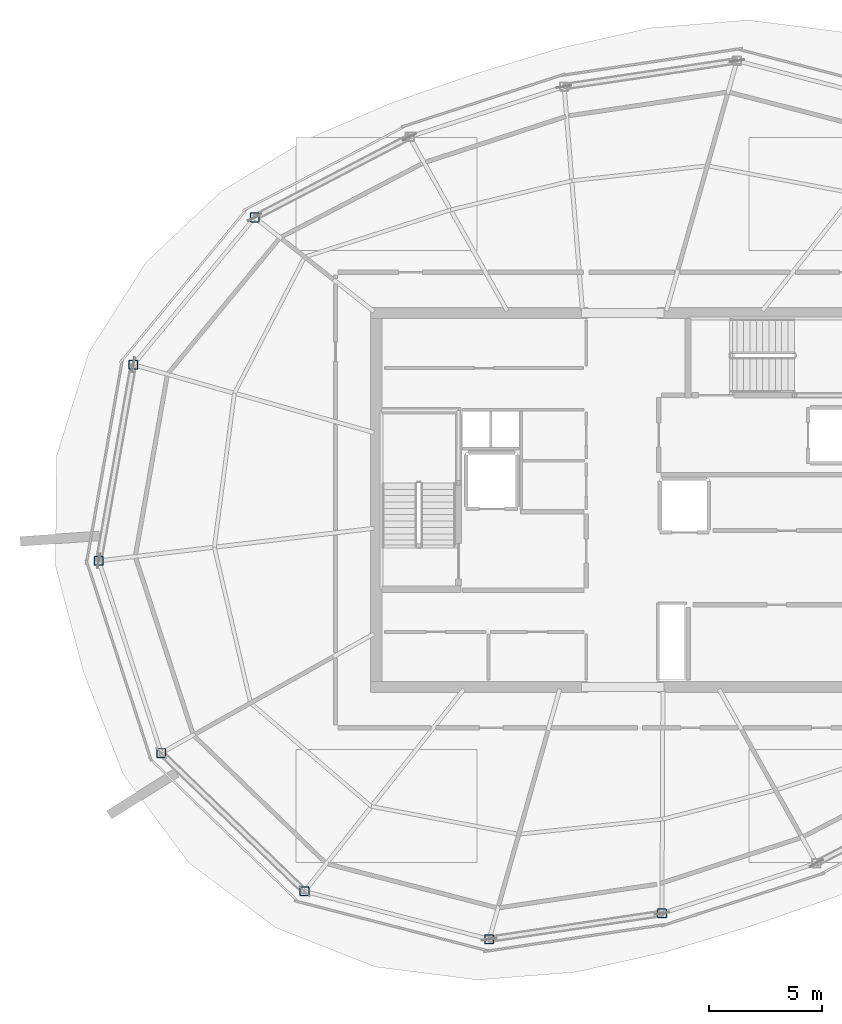
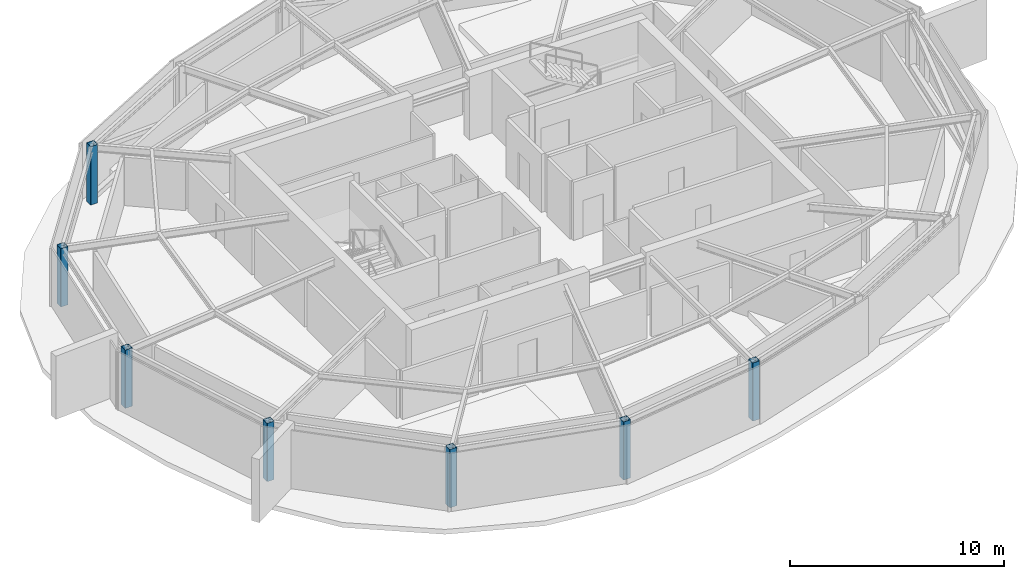
# One storey, part 1 of 10: 7 columns.
"""IFC4 building model written with IfcOpenShell, lengths in metres."""

import ifcopenshell
import ifcopenshell.guid

model = None  # the IFC model being written
_history = None  # IfcOwnerHistory: only IFC2X3 demands one
_inside = {}  # id of a spatial element -> (the spatial element, [elements in it])
_under = {}  # id of a project, library or spatial element -> (it, [spatial elements below it])
_declared = {}  # id of a project -> (the project, [libraries it declares])
_typed = {}  # id of a type object -> (the type object, [elements of that type])
_made_of = {}  # id of a material, layer set ... -> (it, [elements and type objects made of it])


def new_model(schema):
    """Start an empty IFC model of exactly this schema.

    Asked for "IFC4X3", IfcOpenShell would pick the latest addendum, in which some entities
    have other attributes; the version numbers below select the first issue.
    IFC2X3 requires an IfcOwnerHistory on every rooted entity: one is made here for all.
    """
    global model, _history
    if schema == "IFC4X3":
        model = ifcopenshell.file(schema_version=(4, 3, 0, 0))
    else:
        model = ifcopenshell.file(schema=schema)
    _inside.clear()
    _under.clear()
    _declared.clear()
    _typed.clear()
    _made_of.clear()
    _history = None
    if model.schema == "IFC2X3":
        org = make("IfcOrganization", Name="unknown")
        user = make(
            "IfcPersonAndOrganization",
            ThePerson=make("IfcPerson", FamilyName="unknown"),
            TheOrganization=org,
        )
        app = make(
            "IfcApplication",
            ApplicationDeveloper=org,
            Version="unknown",
            ApplicationFullName="unknown",
            ApplicationIdentifier="unknown",
        )
        _history = make(
            "IfcOwnerHistory",
            OwningUser=user,
            OwningApplication=app,
            ChangeAction="ADDED",
            CreationDate=0,
        )
    return model


def make(cls, **values):
    """One entity of the class cls with the attributes given. An attribute that is None is left unset."""
    return model.create_entity(
        cls, **{name: value for name, value in values.items() if value is not None}
    )


def rooted(cls, **values):
    """An entity with a GlobalId (a new one), such as an element, a storey or a relation."""
    return make(cls, GlobalId=ifcopenshell.guid.new(), OwnerHistory=_history, **values)


def si_unit(unit_type, name, prefix=None):
    """IfcSIUnit, for example si_unit("LENGTHUNIT", "METRE", prefix="MILLI")."""
    return make("IfcSIUnit", UnitType=unit_type, Prefix=prefix, Name=name)


def assignment(units):
    """IfcUnitAssignment: the units of a project."""
    return None if units is None else make("IfcUnitAssignment", Units=units)


def point(xyz):
    """IfcCartesianPoint."""
    return None if xyz is None else make("IfcCartesianPoint", Coordinates=xyz)


def direction(xyz):
    """IfcDirection."""
    return None if xyz is None else make("IfcDirection", DirectionRatios=xyz)


def frame(location, z_axis=None, x_axis=None):
    """IfcAxis2Placement3D, a coordinate frame: its origin and axes. An axis left out is left unset."""
    return make(
        "IfcAxis2Placement3D",
        Location=point(location),
        Axis=direction(z_axis),
        RefDirection=direction(x_axis),
    )


def frame_2d(location, x_axis=None):
    """IfcAxis2Placement2D, a coordinate frame in the plane: its origin and x axis."""
    return make(
        "IfcAxis2Placement2D", Location=point(location), RefDirection=direction(x_axis)
    )


def origin():
    """The frame at (0, 0, 0) with its axes left unset."""
    return frame((0.0, 0.0, 0.0))


def origin_2d():
    """The frame at (0, 0) in the plane with its x axis left unset."""
    return frame_2d((0.0, 0.0))


def place(relative_to, where):
    """IfcLocalPlacement: puts the frame where relative to a parent placement (None: the world)."""
    return make(
        "IfcLocalPlacement", PlacementRelTo=relative_to, RelativePlacement=where
    )


def context(
    kind, dimensions, precision=None, world=None, true_north=None, identifier=None
):
    """IfcGeometricRepresentationContext, for example the 3D "Model" context."""
    return make(
        "IfcGeometricRepresentationContext",
        ContextIdentifier=identifier,
        ContextType=kind,
        CoordinateSpaceDimension=dimensions,
        Precision=precision,
        WorldCoordinateSystem=world,
        TrueNorth=true_north,
    )


def subcontext(parent, identifier, kind, view, scale=None):
    """IfcGeometricRepresentationSubContext, for example "Body" below "Model"."""
    return make(
        "IfcGeometricRepresentationSubContext",
        ContextIdentifier=identifier,
        ContextType=kind,
        ParentContext=parent,
        TargetScale=scale,
        TargetView=view,
    )


def project(units=None, contexts=None):
    """IfcProject with its units and contexts."""
    return rooted(
        "IfcProject",
        Name="project",
        RepresentationContexts=contexts,
        UnitsInContext=assignment(units),
    )


def spatial(cls, under=None, at=None, **own):
    """A site, building, storey or space (cls), placed at a placement, below another one or the project."""
    s = rooted(cls, ObjectPlacement=at, **own)
    if under is not None:
        _under.setdefault(under.id(), (under, []))[1].append(s)
    return s


def profile(cls, at=None, kind="AREA", **sizes):
    """A parametric profile (cls). Its sizes go by their IFC names, for example OverallWidth=200.0."""
    return make(cls, ProfileType=kind, Position=at, **sizes)


def hollow_rectangle(**sizes):
    """IfcRectangleHollowProfileDef."""
    return profile("IfcRectangleHollowProfileDef", **sizes)


def extrude(swept, where, along, depth):
    """IfcExtrudedAreaSolid: the profile swept, set in the frame where, extruded along a direction by depth."""
    return make(
        "IfcExtrudedAreaSolid",
        SweptArea=swept,
        Position=where,
        ExtrudedDirection=direction(along),
        Depth=depth,
    )


def shape(context_of_items, identifier, shape_type, items):
    """IfcShapeRepresentation: the items that make up one representation, for example the "Body"."""
    return make(
        "IfcShapeRepresentation",
        ContextOfItems=context_of_items,
        RepresentationIdentifier=identifier,
        RepresentationType=shape_type,
        Items=items,
    )


def material(Name=None, Category=None):
    """IfcMaterial."""
    return make("IfcMaterial", Name=Name, Category=Category)


def material_profile(
    of_material, cross_section, Name=None, Category=None, Priority=None
):
    """IfcMaterialProfile: a cross section and its material."""
    return make(
        "IfcMaterialProfile",
        Name=Name,
        Material=of_material,
        Profile=cross_section,
        Priority=Priority,
        Category=Category,
    )


def profile_set(profiles, Name=None, composite=None):
    """IfcMaterialProfileSet."""
    return make(
        "IfcMaterialProfileSet",
        Name=Name,
        MaterialProfiles=profiles,
        CompositeProfile=composite,
    )


def made_of(thing, what):
    """Note that an element or type object is made of a material, layer set ...; save() writes the relation."""
    if what is not None:
        _made_of.setdefault(what.id(), (what, []))[1].append(thing)
    return thing


def type_object(cls, material=None, **own):
    """A type object (cls), such as IfcWallType, which elements share."""
    return made_of(rooted(cls, **own), material)


def element(
    cls,
    number,
    at=None,
    inside=None,
    cuts=None,
    type_object=None,
    material=None,
    context=None,
    identifier="Body",
    shape_type=None,
    held_by="IfcProductDefinitionShape",
    body=None,
    shapes=None,
    **own,
):
    """One element of the class cls, such as IfcWall. Its Tag is "e" and its number.

    at: its placement. inside: the storey or other place that contains it. cuts: it is an
    opening in that element (IfcRelVoidsElement). A single representation is given by context,
    identifier, shape_type and body (its items); several are given by shapes. held_by: the class
    of the entity that holds the representations. save() writes the other relations.
    """
    e = rooted(cls, Tag="e%d" % number, ObjectPlacement=at, **own)
    if body is not None:
        shapes = [shape(context, identifier, shape_type, body)]
    if shapes is not None:
        e.Representation = make(held_by, Representations=shapes)
    if inside is not None:
        _inside.setdefault(inside.id(), (inside, []))[1].append(e)
    if cuts is not None:
        rooted(
            "IfcRelVoidsElement", RelatingBuildingElement=cuts, RelatedOpeningElement=e
        )
    if type_object is not None:
        _typed.setdefault(type_object.id(), (type_object, []))[1].append(e)
    return made_of(e, material)


def aggregate(whole, parts):
    """IfcRelAggregates: a whole, such as a stair, and the parts it consists of."""
    return rooted("IfcRelAggregates", RelatingObject=whole, RelatedObjects=parts)


def save(model, path):
    """Write the relations noted so far, then the file.

    IfcRelAggregates (storeys below a building ...), IfcRelContainedInSpatialStructure (elements
    in a storey), IfcRelDefinesByType, IfcRelAssociatesMaterial and IfcRelDeclares: one each for
    every whole, place, type object, material and project.
    """
    for whole, parts in _under.values():
        aggregate(whole, parts)
    for where, things in _inside.values():
        rooted(
            "IfcRelContainedInSpatialStructure",
            RelatedElements=things,
            RelatingStructure=where,
        )
    for kind, things in _typed.values():
        rooted("IfcRelDefinesByType", RelatedObjects=things, RelatingType=kind)
    for what, things in _made_of.values():
        rooted("IfcRelAssociatesMaterial", RelatedObjects=things, RelatingMaterial=what)
    for by, libraries in _declared.values():
        rooted("IfcRelDeclares", RelatingContext=by, RelatedDefinitions=libraries)
    model.write(path)


model = new_model("IFC4")

# Units and contexts
model_context = context("Model", 3, precision=1e-05, world=origin(), true_north=direction((0.0, 1.0)))
body_context = subcontext(model_context, "Body", "Model", "MODEL_VIEW")
ifc_project = project(units=[si_unit("LENGTHUNIT", "METRE"), si_unit("AREAUNIT", "SQUARE_METRE"), si_unit("VOLUMEUNIT", "CUBIC_METRE"), si_unit("PLANEANGLEUNIT", "RADIAN"), si_unit("MASSUNIT", "GRAM", prefix="KILO")], contexts=[model_context])

# Site, building, storey
site_placement = place(None, origin())
site = spatial("IfcSite", under=ifc_project, at=site_placement, CompositionType="ELEMENT")
building_placement = place(site_placement, origin())
building = spatial("IfcBuilding", under=site, at=building_placement, Name="Kazma Halo Residences", CompositionType="ELEMENT")
storey_placement = place(building_placement, frame((0.0, 0.0, 356.0)))
storey = spatial("IfcBuildingStorey", under=building, at=storey_placement, Name="L89", CompositionType="ELEMENT", Elevation=356.0)

# Columns
ifc_material = material(Name="Steel S355", Category="steel")
ifc_material_profile = material_profile(ifc_material, hollow_rectangle(XDim=0.39990234375, YDim=0.39990234375, WallThickness=0.02001953125, InnerFilletRadius=0.02001953125, OuterFilletRadius=0.0400390625, at=origin_2d()), Name="SHS400x400x20")
ifc_profile_set = profile_set([ifc_material_profile], Name="Steel S355")
column_type = type_object("IfcColumnType", Name="COL-CROWN-SHS400", PredefinedType="COLUMN", material=ifc_profile_set)
for number, where, z_axis, x_axis, name in (
    (1, (32.184814453125, 54.467529296875, 0.0), (0.0, 0.0, 1.0), (1.0, 0.0, 0.0), "L89 CROWN FRAME perimeter column P06"),
    (2, (26.830078125, 47.970458984375, 0.0), (0.0, 0.0, 1.0), (1.0, 0.0, 0.0), "L89 CROWN FRAME perimeter column P07"),
    (3, (25.3037109375, 39.313720703125, 0.0), (0.0, 0.0, 1.0), (1.0, 0.0, 0.0), "L89 CROWN FRAME perimeter column P08"),
    (4, (28.059326171875, 30.832763671875, 0.0), (0.0, 0.0, 1.0), (1.0, 0.0, 0.0), "L89 CROWN FRAME perimeter column P09"),
    (5, (34.382568359375, 24.726318359375, 0.0), (0.0, 0.0, 1.0), (1.0, 0.0, 0.0), "L89 CROWN FRAME perimeter column P10"),
    (6, (42.53369140625, 22.61767578125, 0.0), (0.0, 0.0, 1.0), (1.0, 0.0, 0.0), "L89 CROWN FRAME perimeter column P11"),
    (7, (50.1591796875, 23.75634765625, 0.0), (0.0, 0.0, 1.0), (1.0, 0.0, 0.0), "L89 CROWN FRAME perimeter column P12"),
):
    element("IfcColumn", number, at=place(storey_placement, frame(where, z_axis=z_axis, x_axis=x_axis)), inside=storey, type_object=column_type, Name=name, PredefinedType="COLUMN", context=body_context, shape_type="SweptSolid", body=[
        extrude(hollow_rectangle(XDim=0.39990234375, YDim=0.39990234375, WallThickness=0.02001953125, InnerFilletRadius=0.02001953125, OuterFilletRadius=0.0400390625, at=origin_2d()), origin(), (0.0, 0.0, 1.0), 3.320068359375),
    ])

save(model, "model.ifc")
